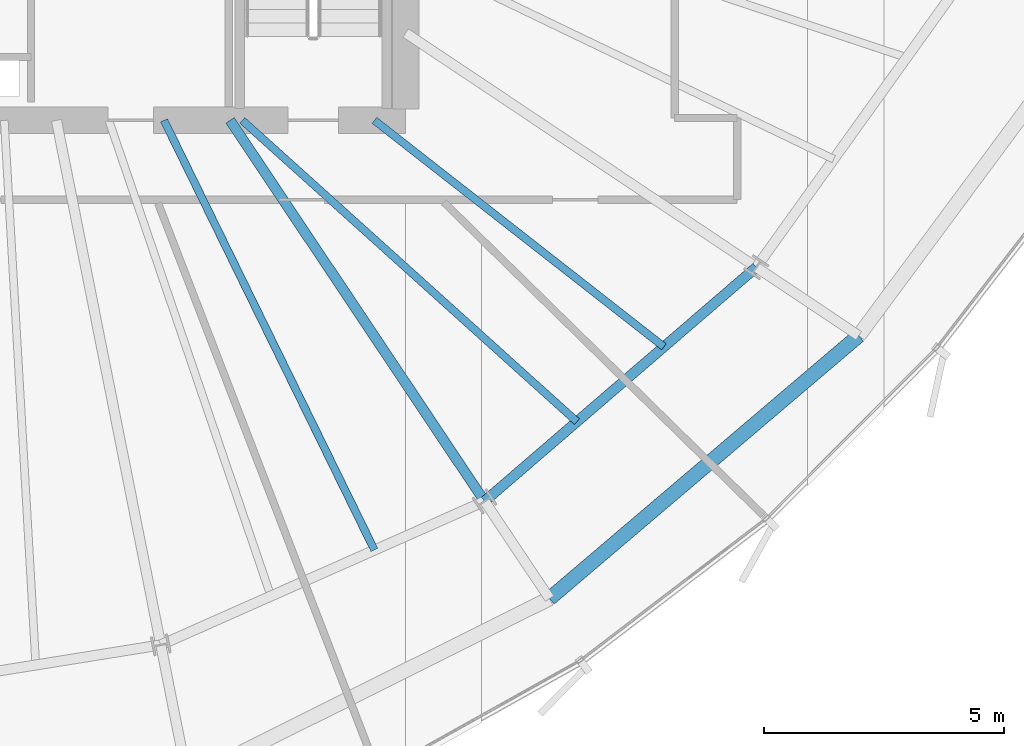
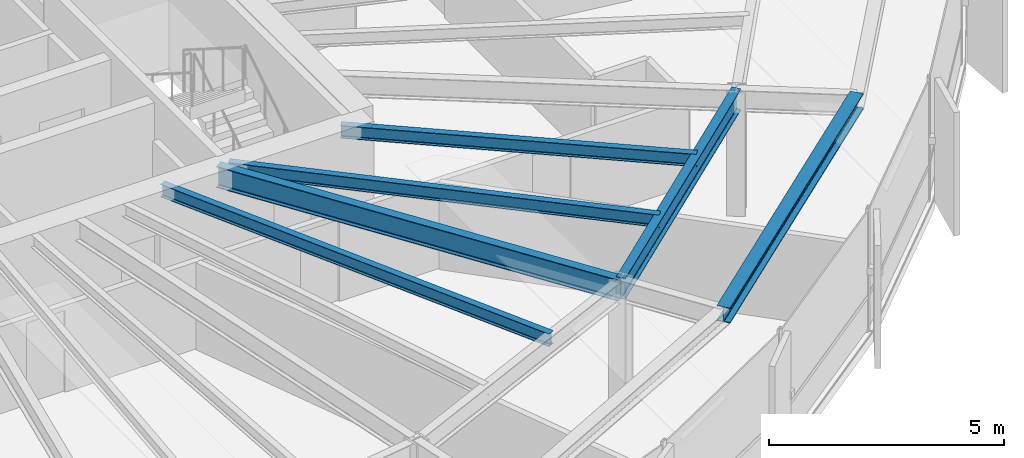
# One storey, part 14 of 35: 6 beams.
"""IFC4 building model written with IfcOpenShell, lengths in metres."""

from ifc_helpers import new_model, si_unit, direction, frame, origin, origin_2d, place, context, subcontext, project, spatial, i_section, extrude, source, transform, mapped, material, material_profile, profile_set, type_object, element, save


model = new_model("IFC4")

# Units and contexts
model_context = context("Model", 3, precision=1e-05, world=origin(), true_north=direction((0.0, 1.0)))
body_context = subcontext(model_context, "Body", "Model", "MODEL_VIEW")
ifc_project = project(units=[si_unit("LENGTHUNIT", "METRE"), si_unit("AREAUNIT", "SQUARE_METRE"), si_unit("VOLUMEUNIT", "CUBIC_METRE"), si_unit("PLANEANGLEUNIT", "RADIAN"), si_unit("MASSUNIT", "GRAM", prefix="KILO"), si_unit("THERMODYNAMICTEMPERATUREUNIT", "KELVIN")], contexts=[model_context])

# Site, building, storey
site_placement = place(None, origin())
site = spatial("IfcSite", under=ifc_project, at=site_placement, CompositionType="ELEMENT")
building_placement = place(site_placement, origin())
building = spatial("IfcBuilding", under=site, at=building_placement, Name="Kethvar Cultural Tower", CompositionType="ELEMENT")
storey_placement = place(building_placement, frame((0.0, 0.0, 167.85009765625)))
storey = spatial("IfcBuildingStorey", under=building, at=storey_placement, Name="L43", CompositionType="ELEMENT", Elevation=167.85009765625)

# Beams
ifc_material = material(Name="Steel S355J2", Category="steel")
ifc_material_profile_1 = material_profile(ifc_material, i_section(OverallWidth=0.2099609375, OverallDepth=0.550048828125, WebThickness=0.010986328125, FlangeThickness=0.01708984375, FilletRadius=0.02392578125, at=origin_2d()), Name="Steel S355J2 — IPE550")
ifc_profile_set_1 = profile_set([ifc_material_profile_1], Name="Steel S355J2 — IPE550")
beam_type_1 = type_object("IfcBeamType", Name="BM-IPE550", PredefinedType="BEAM", material=ifc_profile_set_1)
shared_shape_1 = source(origin(), body_context, "Body", "SweptSolid", [
    extrude(i_section(OverallWidth=0.2099609375, OverallDepth=0.550048828125, WebThickness=0.010986328125, FlangeThickness=0.01708984375, FilletRadius=0.02392578125, at=origin_2d()), origin(), (0.0, 0.0, 1.0), 9.534423828125),
])
beam_1_placement = place(storey_placement, frame((51.945068359375, 20.10009765625, 2.962890625), z_axis=(0.555550817894, -0.831482584747, 0.0), x_axis=(0.831482584747, 0.555550817894, 0.0)))
element("IfcBeam", 1, at=beam_1_placement, inside=storey, type_object=beam_type_1, Name="L43 Primary Radial Beam RB-14", PredefinedType="BEAM", context=body_context, shape_type="MappedRepresentation", body=[
    mapped(shared_shape_1, transform((0.0, 0.0, 0.0), scale=1.0)),
])
ifc_material_profile_2 = material_profile(ifc_material, i_section(OverallWidth=0.159912109375, OverallDepth=0.330078125, WebThickness=0.007568359375, FlangeThickness=0.011474609375, FilletRadius=0.01806640625, at=origin_2d()), Name="Steel S355J2 — IPE330")
ifc_profile_set_2 = profile_set([ifc_material_profile_2], Name="Steel S355J2 — IPE330")
beam_type_2 = type_object("IfcBeamType", Name="BM-J330", PredefinedType="JOIST", material=ifc_profile_set_2)
shared_shape_2 = source(origin(), body_context, "Body", "SweptSolid", [
    extrude(i_section(OverallWidth=0.159912109375, OverallDepth=0.330078125, WebThickness=0.007568359375, FlangeThickness=0.011474609375, FilletRadius=0.01806640625, at=origin_2d()), origin(), (0.0, 0.0, 1.0), 9.959228515625),
])
beam_2_placement = place(storey_placement, frame((50.57080078125, 20.10009765625, 3.072998046875), z_axis=(0.439785134514, -0.898103020516, 0.0), x_axis=(0.898103020516, 0.439785134514, 0.0)))
element("IfcBeam", 2, at=beam_2_placement, inside=storey, type_object=beam_type_2, Name="L43 Composite Floor Joist J-13B", PredefinedType="JOIST", context=body_context, shape_type="MappedRepresentation", body=[
    mapped(shared_shape_2, transform((0.0, 0.0, 0.0), scale=1.0)),
])
shared_shape_3 = source(origin(), body_context, "Body", "SweptSolid", [
    extrude(i_section(OverallWidth=0.2099609375, OverallDepth=0.550048828125, WebThickness=0.010986328125, FlangeThickness=0.01708984375, FilletRadius=0.02392578125, at=origin_2d()), origin(), (0.0, 0.0, 1.0), 7.46484375),
])
beam_3_placement = place(storey_placement, frame((57.241943359375, 12.17236328125, 2.962890625), z_axis=(0.757784075291, 0.652505398625, 0.0), x_axis=(-0.652505398625, 0.757784075291, 0.0)))
element("IfcBeam", 3, at=beam_3_placement, inside=storey, type_object=beam_type_1, Name="L43 Column Ring Tie Beam CR-14", PredefinedType="BEAM", context=body_context, shape_type="MappedRepresentation", body=[
    mapped(shared_shape_3, transform((0.0, 0.0, 0.0), scale=1.0)),
])
shared_shape_4 = source(origin(), body_context, "Body", "SweptSolid", [
    extrude(i_section(OverallWidth=0.159912109375, OverallDepth=0.330078125, WebThickness=0.007568359375, FlangeThickness=0.011474609375, FilletRadius=0.01806640625, at=origin_2d()), origin(), (0.0, 0.0, 1.0), 9.372802734375),
])
beam_4_placement = place(storey_placement, frame((52.199951171875, 20.10009765625, 3.072998046875), z_axis=(0.743151656479, -0.669123019685, 0.0), x_axis=(0.669123019685, 0.743151656479, 0.0)))
element("IfcBeam", 4, at=beam_4_placement, inside=storey, type_object=beam_type_2, Name="L43 Composite Floor Joist J-14A", PredefinedType="JOIST", context=body_context, shape_type="MappedRepresentation", body=[
    mapped(shared_shape_4, transform((0.0, 0.0, 0.0), scale=1.0)),
])
shared_shape_5 = source(origin(), body_context, "Body", "SweptSolid", [
    extrude(i_section(OverallWidth=0.159912109375, OverallDepth=0.330078125, WebThickness=0.007568359375, FlangeThickness=0.011474609375, FilletRadius=0.01806640625, at=origin_2d()), origin(), (0.0, 0.0, 1.0), 7.649658203125),
])
beam_5_placement = place(storey_placement, frame((54.949951171875, 20.10009765625, 3.072998046875), z_axis=(0.787671994752, -0.616094821179, 0.0), x_axis=(0.616094821179, 0.787671994752, 0.0)))
element("IfcBeam", 5, at=beam_5_placement, inside=storey, type_object=beam_type_2, Name="L43 Composite Floor Joist J-14B", PredefinedType="JOIST", context=body_context, shape_type="MappedRepresentation", body=[
    mapped(shared_shape_5, transform((0.0, 0.0, 0.0), scale=1.0)),
])
ifc_material_profile_3 = material_profile(ifc_material, i_section(OverallWidth=0.300048828125, OverallDepth=0.39990234375, WebThickness=0.013427734375, FlangeThickness=0.02392578125, FilletRadius=0.027099609375, at=origin_2d()), Name="Steel S355J2 — HEB400")
ifc_profile_set_3 = profile_set([ifc_material_profile_3], Name="Steel S355J2 — HEB400")
beam_type_3 = type_object("IfcBeamType", Name="BM-SP400", PredefinedType="SPANDREL", material=ifc_profile_set_3)
shared_shape_6 = source(origin(), body_context, "Body", "SweptSolid", [
    extrude(i_section(OverallWidth=0.300048828125, OverallDepth=0.39990234375, WebThickness=0.013427734375, FlangeThickness=0.02392578125, FilletRadius=0.027099609375, at=origin_2d()), origin(), (0.0, 0.0, 1.0), 8.447021484375),
])
beam_6_placement = place(storey_placement, frame((58.59521484375, 10.147216796875, 3.037841796875), z_axis=(0.76188226395, 0.647715536234, 0.0), x_axis=(-0.647715536234, 0.76188226395, 0.0)))
element("IfcBeam", 6, at=beam_6_placement, inside=storey, type_object=beam_type_3, Name="L43 Perimeter Spandrel Beam SP-14", PredefinedType="SPANDREL", context=body_context, shape_type="MappedRepresentation", body=[
    mapped(shared_shape_6, transform((0.0, 0.0, 0.0), scale=1.0)),
])

save(model, "model.ifc")
